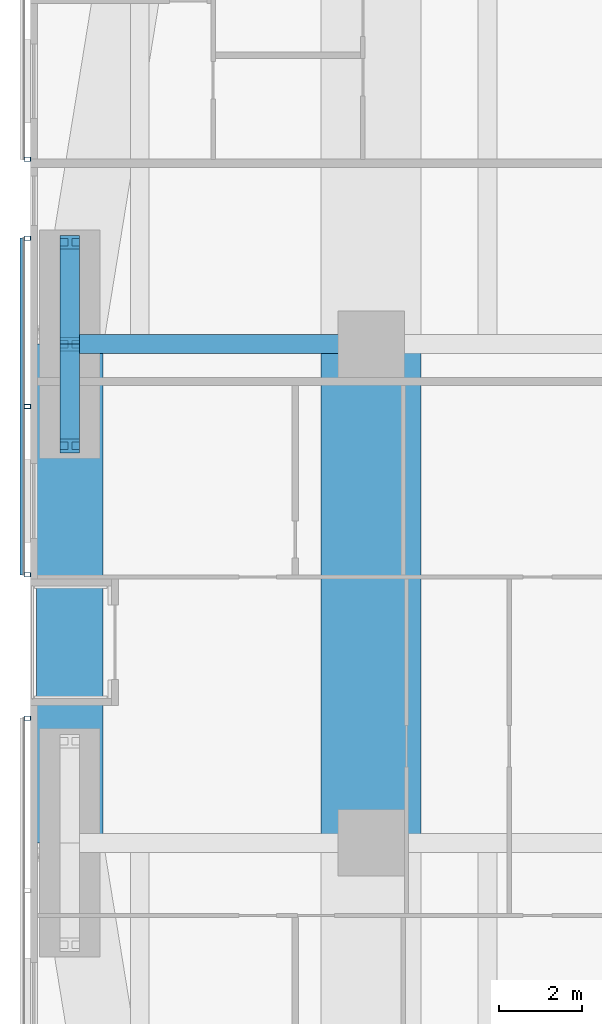
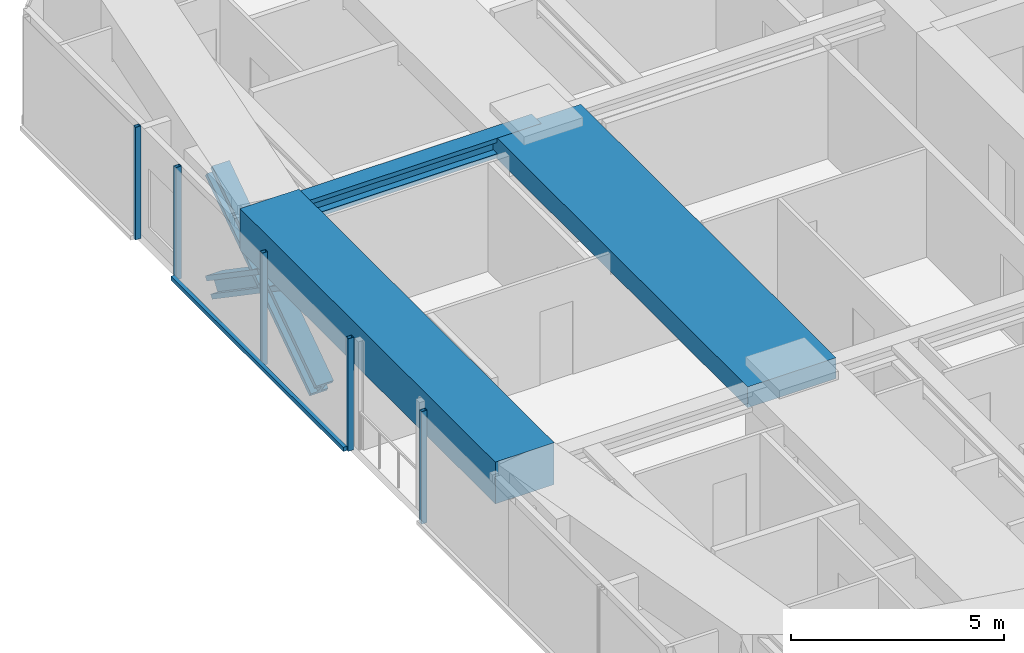
# One storey, part 7 of 24: 10 members, 3 beams, 3 elements without a shape of their own.
"""IFC4 building model written with IfcOpenShell, lengths in metres."""

from ifc_helpers import new_model, si_unit, direction, frame, origin, origin_2d, place, context, subcontext, project, spatial, rectangle, hollow_rectangle, i_section, extrude, material, material_profile, profile_set, type_object, element, aggregate, save


model = new_model("IFC4")

# Units and contexts
model_context = context("Model", 3, precision=1e-05, world=origin(), true_north=direction((0.0, 1.0)))
body_context = subcontext(model_context, "Body", "Model", "MODEL_VIEW")
ifc_project = project(units=[si_unit("LENGTHUNIT", "METRE"), si_unit("AREAUNIT", "SQUARE_METRE"), si_unit("VOLUMEUNIT", "CUBIC_METRE"), si_unit("PLANEANGLEUNIT", "RADIAN"), si_unit("MASSUNIT", "GRAM", prefix="KILO")], contexts=[model_context])

# Site, building, storey
site_placement = place(None, origin())
site = spatial("IfcSite", under=ifc_project, at=site_placement, CompositionType="ELEMENT")
building_placement = place(site_placement, origin())
building = spatial("IfcBuilding", under=site, at=building_placement, Name="Jalousie Tower", CompositionType="ELEMENT")
storey_placement = place(building_placement, frame((0.0, 0.0, 57.85009765625)))
storey = spatial("IfcBuildingStorey", under=building, at=storey_placement, Name="L15", CompositionType="ELEMENT", Elevation=57.85009765625)

# Beam
ifc_material_1 = material(Name="Steel ASTM A992 Grade 50", Category="steel")
ifc_material_profile_1 = material_profile(ifc_material_1, i_section(OverallWidth=0.45458984375, OverallDepth=0.569091796875, WebThickness=0.077880859375, FlangeThickness=0.124755859375, at=origin_2d()), Name="W14X730")
ifc_profile_set_1 = profile_set([ifc_material_profile_1], Name="Steel ASTM A992 Grade 50")
beam_type_1 = type_object("IfcBeamType", Name="LEAN COLLECTOR W14X730", PredefinedType="BEAM", material=ifc_profile_set_1)
beam_1_placement = place(storey_placement, frame((2.949951171875, 25.0, 2.825439453125), z_axis=(1.0, 0.0, 0.0), x_axis=(0.0, 1.0, 0.0)))
element("IfcBeam", 1, at=beam_1_placement, inside=storey, type_object=beam_type_1, Name="Lean collector under L16", PredefinedType="BEAM", context=body_context, shape_type="SweptSolid", body=[
    extrude(i_section(OverallWidth=0.45458984375, OverallDepth=0.569091796875, WebThickness=0.077880859375, FlangeThickness=0.124755859375, at=origin_2d()), origin(), (0.0, 0.0, 1.0), 7.25),
])

# Members
ifc_material_2 = material(Name="Steel ASTM A992 Grade 50", Category="steel")
ifc_material_profile_2 = material_profile(ifc_material_2, i_section(OverallWidth=0.472412109375, OverallDepth=0.5791015625, WebThickness=0.094970703125, FlangeThickness=0.1298828125, at=origin_2d()), Name="W14X808")
ifc_profile_set_2 = profile_set([ifc_material_profile_2], Name="Steel ASTM A992 Grade 50")
member_type_1 = type_object("IfcMemberType", Name="PERIMETER BRACE W14X808", PredefinedType="BRACE", material=ifc_profile_set_2)
for number, where, z_axis, x_axis, name in (
    (2, (2.949951171875, 22.550048828125, -0.60009765625), (0.0, 0.825500916831, 0.564400776321), (-1.0, 0.0, 0.0), "Perimeter brace 13 L15 part 1"),
    (3, (2.949951171875, 25.0, 1.074951171875), (0.0, 0.825500916831, 0.564400776321), (-1.0, 0.0, 0.0), "Perimeter brace 13 L15 part 2"),
    (4, (2.949951171875, 27.449951171875, -0.60009765625), (0.0, -0.825500916831, 0.564400776321), (1.0, 0.0, 0.0), "Perimeter brace 13 L15 part 3"),
    (5, (2.949951171875, 25.0, 1.074951171875), (0.0, -0.825500916831, 0.564400776321), (1.0, 0.0, 0.0), "Perimeter brace 13 L15 part 4"),
):
    element("IfcMember", number, at=place(storey_placement, frame(where, z_axis=z_axis, x_axis=x_axis)), inside=storey, type_object=member_type_1, Name=name, PredefinedType="BRACE", context=body_context, shape_type="SweptSolid", body=[
        extrude(i_section(OverallWidth=0.472412109375, OverallDepth=0.5791015625, WebThickness=0.094970703125, FlangeThickness=0.1298828125, at=origin_2d()), origin(), (0.0, 0.0, 1.0), 2.9677734375),
    ])

# Beams
ifc_material_3 = material(Name="Concrete f'c 40 MPa", Category="concrete")
ifc_material_profile_3 = material_profile(ifc_material_3, rectangle(XDim=1.60009765625, YDim=1.199951171875, at=origin_2d()), Name="RC 1600x1200")
ifc_profile_set_3 = profile_set([ifc_material_profile_3], Name="Concrete f'c 40 MPa")
beam_type_2 = type_object("IfcBeamType", Name="RC BEAM 1600x1200", PredefinedType="BEAM", material=ifc_profile_set_3)
beam_2_placement = place(storey_placement, frame((2.949951171875, 25.0, 2.75), z_axis=(0.0, -1.0, 0.0), x_axis=(1.0, 0.0, 0.0)))
element("IfcBeam", 6, at=beam_2_placement, inside=storey, type_object=beam_type_2, Name="Edge band beam 13-14 under L16", PredefinedType="BEAM", context=body_context, shape_type="SweptSolid", body=[
    extrude(rectangle(XDim=1.60009765625, YDim=1.199951171875, at=origin_2d()), origin(), (0.0, 0.0, 1.0), 12.0),
])
ifc_material_4 = material(Name="Concrete f'c 40 MPa", Category="concrete")
ifc_material_profile_4 = material_profile(ifc_material_4, rectangle(XDim=2.39990234375, YDim=0.60009765625, at=origin_2d()), Name="RC 2400x600")
ifc_profile_set_4 = profile_set([ifc_material_profile_4], Name="Concrete f'c 40 MPa")
beam_type_3 = type_object("IfcBeamType", Name="RC BEAM 2400x600", PredefinedType="BEAM", material=ifc_profile_set_4)
beam_3_placement = place(storey_placement, frame((10.199951171875, 13.0, 2.809814453125), z_axis=(0.0, 1.0, 0.0), x_axis=(-1.0, 0.0, 0.0)))
element("IfcBeam", 7, at=beam_3_placement, inside=storey, type_object=beam_type_3, Name="Floor band beam under L16", PredefinedType="BEAM", context=body_context, shape_type="SweptSolid", body=[
    extrude(rectangle(XDim=2.39990234375, YDim=0.60009765625, at=origin_2d()), origin(), (0.0, 0.0, 1.0), 12.0),
])

# Curtain wall, member
ifc_material_5 = material(Name="Perforated aluminium sheet", Category="aluminium")
curtain_wall_type = type_object("IfcCurtainWallType", Name="SOLAR SCREEN SS-1", PredefinedType="USERDEFINED", material=ifc_material_5)
curtain_wall_1_placement = place(storey_placement, origin())
curtain_wall_1 = element("IfcCurtainWall", 8, at=curtain_wall_1_placement, inside=storey, type_object=curtain_wall_type, Name="Solar screen L15", ObjectType="SOLAR SCREEN SS-1", PredefinedType="USERDEFINED")
ifc_material_6 = material(Name="Steel ASTM A500 Grade C", Category="steel")
ifc_material_profile_5 = material_profile(ifc_material_6, hollow_rectangle(XDim=0.1015625, YDim=0.15234375, WallThickness=0.00634765625, at=origin_2d()), Name="HSS6X4X1/4")
ifc_profile_set_5 = profile_set([ifc_material_profile_5], Name="Steel ASTM A500 Grade C")
member_type_2 = type_object("IfcMemberType", Name="SOLAR SCREEN SS-1 MULLION", PredefinedType="MULLION", material=ifc_profile_set_5)
member_1_placement = place(storey_placement, frame((1.9287109375, 29.449951171875, -0.1201171875), z_axis=(0.0, 0.0, 1.0), x_axis=(0.0, -1.0, 0.0)))
member_1 = element("IfcMember", 9, at=member_1_placement, type_object=member_type_2, Name="SS1 post 2", PredefinedType="MULLION", context=body_context, shape_type="SweptSolid", body=[
    extrude(hollow_rectangle(XDim=0.1015625, YDim=0.15234375, WallThickness=0.00634765625, at=origin_2d()), origin(), (0.0, 0.0, 1.0), 3.22998046875),
])
aggregate(curtain_wall_1, [member_1])

# Curtain wall, members
curtain_wall_2_placement = place(storey_placement, origin())
curtain_wall_2 = element("IfcCurtainWall", 10, at=curtain_wall_2_placement, inside=storey, type_object=curtain_wall_type, Name="Solar screen L15", ObjectType="SOLAR SCREEN SS-1", PredefinedType="USERDEFINED")
member_2_placement = place(storey_placement, frame((1.9287109375, 27.550048828125, -0.1201171875), z_axis=(0.0, 0.0, 1.0), x_axis=(0.0, -1.0, 0.0)))
member_2 = element("IfcMember", 11, at=member_2_placement, type_object=member_type_2, Name="SS1 post 1", PredefinedType="MULLION", context=body_context, shape_type="SweptSolid", body=[
    extrude(hollow_rectangle(XDim=0.1015625, YDim=0.15234375, WallThickness=0.00634765625, at=origin_2d()), origin(), (0.0, 0.0, 1.0), 3.22998046875),
])
member_3_placement = place(storey_placement, frame((1.9287109375, 23.5, -0.1201171875), z_axis=(0.0, 0.0, 1.0), x_axis=(0.0, -1.0, 0.0)))
member_3 = element("IfcMember", 12, at=member_3_placement, type_object=member_type_2, Name="SS1 post 2", PredefinedType="MULLION", context=body_context, shape_type="SweptSolid", body=[
    extrude(hollow_rectangle(XDim=0.1015625, YDim=0.15234375, WallThickness=0.00634765625, at=origin_2d()), origin(), (0.0, 0.0, 1.0), 3.22998046875),
])
member_4_placement = place(storey_placement, frame((1.9287109375, 19.449951171875, -0.1201171875), z_axis=(0.0, 0.0, 1.0), x_axis=(0.0, -1.0, 0.0)))
member_4 = element("IfcMember", 13, at=member_4_placement, type_object=member_type_2, Name="SS1 post 3", PredefinedType="MULLION", context=body_context, shape_type="SweptSolid", body=[
    extrude(hollow_rectangle(XDim=0.1015625, YDim=0.15234375, WallThickness=0.00634765625, at=origin_2d()), origin(), (0.0, 0.0, 1.0), 3.22998046875),
])

# Curtain wall, member
curtain_wall_3_placement = place(storey_placement, origin())
curtain_wall_3 = element("IfcCurtainWall", 14, at=curtain_wall_3_placement, inside=storey, type_object=curtain_wall_type, Name="Solar screen L15", ObjectType="SOLAR SCREEN SS-1", PredefinedType="USERDEFINED")
member_5_placement = place(storey_placement, frame((1.9287109375, 16.0, -0.1201171875), z_axis=(0.0, 0.0, 1.0), x_axis=(0.0, -1.0, 0.0)))
member_5 = element("IfcMember", 15, at=member_5_placement, type_object=member_type_2, Name="SS1 post 1", PredefinedType="MULLION", context=body_context, shape_type="SweptSolid", body=[
    extrude(hollow_rectangle(XDim=0.1015625, YDim=0.15234375, WallThickness=0.00634765625, at=origin_2d()), origin(), (0.0, 0.0, 1.0), 3.22998046875),
])
aggregate(curtain_wall_3, [member_5])

# Member
ifc_material_7 = material(Name="Extruded aluminium screen rail", Category="aluminium")
ifc_material_profile_6 = material_profile(ifc_material_7, rectangle(XDim=0.1015625, YDim=0.1201171875, at=origin_2d()), Name="RAIL 102x120")
ifc_profile_set_6 = profile_set([ifc_material_profile_6], Name="Extruded aluminium screen rail")
member_type_3 = type_object("IfcMemberType", Name="SOLAR SCREEN SS-1 TRANSOM", PredefinedType="USERDEFINED", material=ifc_profile_set_6)
member_6_placement = place(storey_placement, frame((1.8017578125, 27.550048828125, -0.06005859375), z_axis=(0.0, -1.0, 0.0), x_axis=(1.0, 0.0, 0.0)))
member_6 = element("IfcMember", 16, at=member_6_placement, type_object=member_type_3, Name="SS1 rail", ObjectType="TRANSOM", PredefinedType="USERDEFINED", context=body_context, shape_type="SweptSolid", body=[
    extrude(rectangle(XDim=0.1015625, YDim=0.1201171875, at=origin_2d()), origin(), (0.0, 0.0, 1.0), 8.10009765625),
])

aggregate(curtain_wall_2, [member_2, member_3, member_4, member_6])

save(model, "model.ifc")
